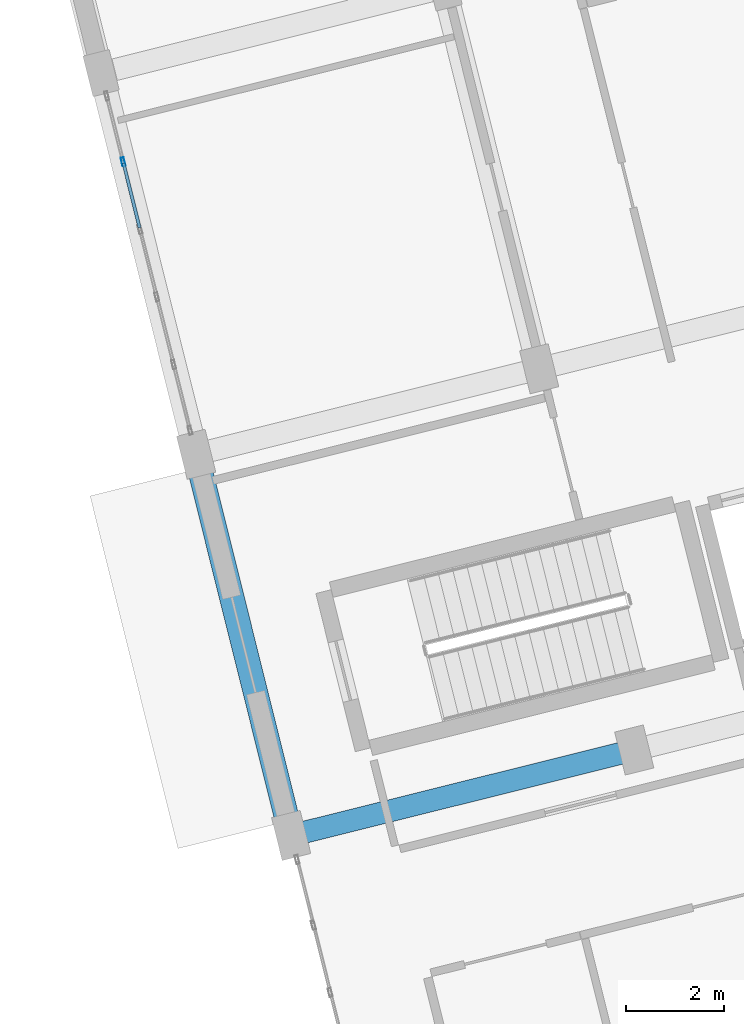
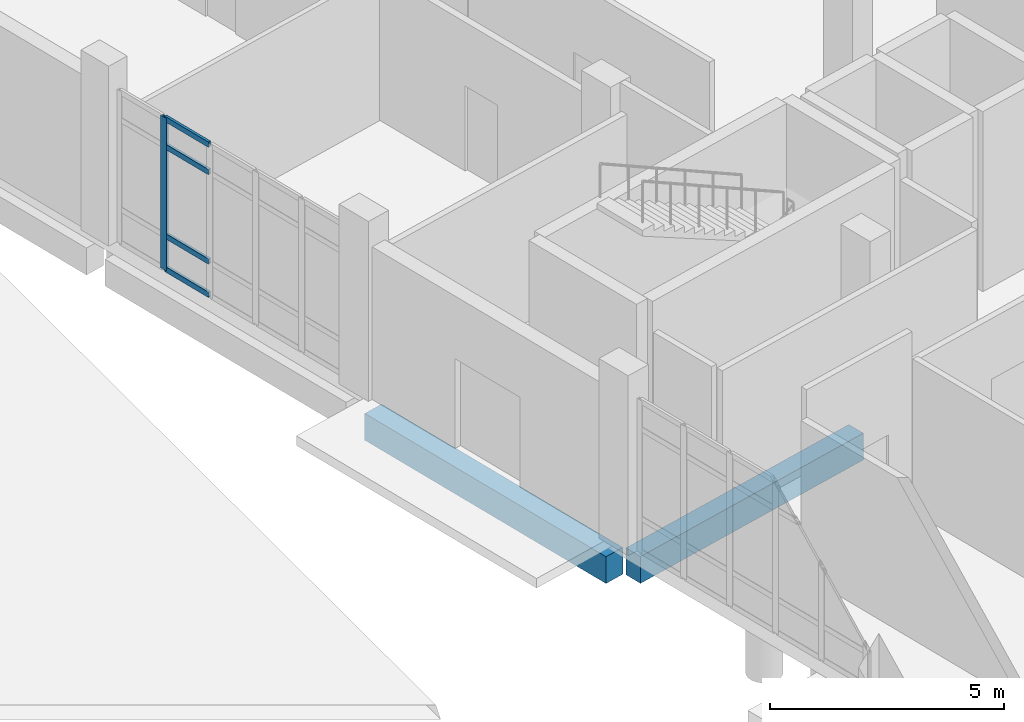
# One storey, part 50 of 173: 5 members, 2 beams, 1 element without a shape of its own.
"""IFC4 building model written with IfcOpenShell, lengths in metres."""

from ifc_helpers import new_model, si_unit, direction, frame, origin, origin_2d, place, context, subcontext, project, spatial, rectangle, hollow_rectangle, extrude, material, layer, layer_set, material_profile, profile_set, type_object, element, aggregate, save


model = new_model("IFC4")

# Units and contexts
model_context = context("Model", 3, precision=1e-05, world=origin(), true_north=direction((0.0, 1.0)))
body_context = subcontext(model_context, "Body", "Model", "MODEL_VIEW")
ifc_project = project(units=[si_unit("LENGTHUNIT", "METRE"), si_unit("AREAUNIT", "SQUARE_METRE"), si_unit("VOLUMEUNIT", "CUBIC_METRE"), si_unit("PLANEANGLEUNIT", "RADIAN"), si_unit("MASSUNIT", "GRAM", prefix="KILO")], contexts=[model_context])

# Site, building, storey
site_placement = place(None, origin())
site = spatial("IfcSite", under=ifc_project, at=site_placement, CompositionType="ELEMENT")
building_placement = place(site_placement, origin())
building = spatial("IfcBuilding", under=site, at=building_placement, Name="Mawjan Specialist Oncology Clinic", CompositionType="ELEMENT")
storey_placement = place(building_placement, origin())
storey = spatial("IfcBuildingStorey", under=building, at=storey_placement, Name="L00", CompositionType="ELEMENT", Elevation=0.0)

# Beam
ifc_material_1 = material(Name="Concrete C40/50", Category="concrete")
ifc_material_profile_1 = material_profile(ifc_material_1, rectangle(XDim=0.449951171875, YDim=0.699951171875, at=origin_2d()), Name="RC BM 450x700", Category="concrete")
ifc_profile_set_1 = profile_set([ifc_material_profile_1], Name="Concrete C40/50")
beam_type_1 = type_object("IfcBeamType", Name="BM-450x700", PredefinedType="BEAM", material=ifc_profile_set_1)
beam_1_placement = place(storey_placement, frame((122.40576171875, 16.393798828125, -0.77001953125), z_axis=(0.970302579357, 0.241894407734, 0.0), x_axis=(-0.241894407734, 0.970302579357, 0.0)))
element("IfcBeam", 1, at=beam_1_placement, inside=storey, type_object=beam_type_1, Name="L00 Collector Beam BM-L00-0207", PredefinedType="BEAM", context=body_context, shape_type="SweptSolid", body=[
    extrude(rectangle(XDim=0.449951171875, YDim=0.699951171875, at=origin_2d()), origin(), (0.0, 0.0, 1.0), 6.6298828125),
])

# Curtain wall, members
ifc_material_2 = material(Name="Unitised spectrally selective aluminium curtain wall", Category="aluminium")
ifc_layer = layer(ifc_material_2, 0.179931640625, Name="Unitised spectrally selective aluminium curtain wall", Category="aluminium")
ifc_layer_set = layer_set([ifc_layer], Name="Unitised spectrally selective aluminium curtain wall")
curtain_wall_type = type_object("IfcCurtainWallType", Name="CW-39", PredefinedType="NOTDEFINED", material=ifc_layer_set)
curtain_wall_placement = place(storey_placement, origin())
curtain_wall = element("IfcCurtainWall", 2, at=curtain_wall_placement, inside=storey, type_object=curtain_wall_type, Name="L00 Unitised Curtain Wall CW-L00-080", PredefinedType="NOTDEFINED")
ifc_material_3 = material(Name="Thermally broken aluminium 6063-T6", Category="aluminium")
ifc_material_profile_2 = material_profile(ifc_material_3, hollow_rectangle(XDim=0.06494140625, YDim=0.179931640625, WallThickness=0.00390625, at=origin_2d()), Name="ALU MULLION 180x65x4", Category="aluminium")
ifc_profile_set_2 = profile_set([ifc_material_profile_2], Name="Thermally broken aluminium 6063-T6")
member_type_1 = type_object("IfcMemberType", Name="CW-M180", PredefinedType="MULLION", material=ifc_profile_set_2)
member_1_placement = place(storey_placement, frame((118.708984375, 30.042724609375, 0.0), z_axis=(0.0, 0.0, 1.0), x_axis=(-0.970295687333, -0.24192205179, 0.0)))
member_1 = element("IfcMember", 3, at=member_1_placement, type_object=member_type_1, Name="CW-39 mullion 5", PredefinedType="MULLION", context=body_context, shape_type="SweptSolid", body=[
    extrude(hollow_rectangle(XDim=0.06494140625, YDim=0.179931640625, WallThickness=0.00390625, at=origin_2d()), origin(), (0.0, 0.0, 1.0), 3.985107421875),
])
ifc_material_4 = material(Name="Thermally broken aluminium 6063-T6", Category="aluminium")
ifc_material_profile_3 = material_profile(ifc_material_4, hollow_rectangle(XDim=0.06494140625, YDim=0.139892578125, WallThickness=0.00390625, at=origin_2d()), Name="ALU TRANSOM 140x65x4", Category="aluminium")
ifc_profile_set_3 = profile_set([ifc_material_profile_3], Name="Thermally broken aluminium 6063-T6")
member_type_2 = type_object("IfcMemberType", Name="CW-T140", PredefinedType="USERDEFINED", material=ifc_profile_set_3)
member_2_placement = place(storey_placement, frame((119.0439453125, 28.699462890625, 0.032470703125), z_axis=(-0.241983209651, 0.970280436908, 0.0), x_axis=(-0.970280436908, -0.241983209651, 0.0)))
member_2 = element("IfcMember", 4, at=member_2_placement, type_object=member_type_2, Name="CW-39 transom 4.1", ObjectType="TRANSOM", PredefinedType="USERDEFINED", context=body_context, shape_type="SweptSolid", body=[
    extrude(hollow_rectangle(XDim=0.06494140625, YDim=0.139892578125, WallThickness=0.00390625, at=origin_2d()), origin(), (0.0, 0.0, 1.0), 1.35205078125),
])
member_3_placement = place(storey_placement, frame((119.0439453125, 28.699462890625, 0.89990234375), z_axis=(-0.241983209651, 0.970280436908, 0.0), x_axis=(-0.970280436908, -0.241983209651, 0.0)))
member_3 = element("IfcMember", 5, at=member_3_placement, type_object=member_type_2, Name="CW-39 transom 4.2", ObjectType="TRANSOM", PredefinedType="USERDEFINED", context=body_context, shape_type="SweptSolid", body=[
    extrude(hollow_rectangle(XDim=0.06494140625, YDim=0.139892578125, WallThickness=0.00390625, at=origin_2d()), origin(), (0.0, 0.0, 1.0), 1.35205078125),
])
member_4_placement = place(storey_placement, frame((119.0439453125, 28.699462890625, 3.235107421875), z_axis=(-0.241983209651, 0.970280436908, 0.0), x_axis=(-0.970280436908, -0.241983209651, 0.0)))
member_4 = element("IfcMember", 6, at=member_4_placement, type_object=member_type_2, Name="CW-39 transom 4.3", ObjectType="TRANSOM", PredefinedType="USERDEFINED", context=body_context, shape_type="SweptSolid", body=[
    extrude(hollow_rectangle(XDim=0.06494140625, YDim=0.139892578125, WallThickness=0.00390625, at=origin_2d()), origin(), (0.0, 0.0, 1.0), 1.35205078125),
])
member_5_placement = place(storey_placement, frame((119.0439453125, 28.699462890625, 3.952392578125), z_axis=(-0.241983209651, 0.970280436908, 0.0), x_axis=(-0.970280436908, -0.241983209651, 0.0)))
member_5 = element("IfcMember", 7, at=member_5_placement, type_object=member_type_2, Name="CW-39 transom 4.4", ObjectType="TRANSOM", PredefinedType="USERDEFINED", context=body_context, shape_type="SweptSolid", body=[
    extrude(hollow_rectangle(XDim=0.06494140625, YDim=0.139892578125, WallThickness=0.00390625, at=origin_2d()), origin(), (0.0, 0.0, 1.0), 1.35205078125),
])
aggregate(curtain_wall, [member_1, member_2, member_3, member_4, member_5])

# Beam
ifc_material_5 = material(Name="Concrete C45/55", Category="concrete")
ifc_material_profile_4 = material_profile(ifc_material_5, rectangle(XDim=0.5, YDim=0.699951171875, at=origin_2d()), Name="RC BM 500x700", Category="concrete")
ifc_profile_set_4 = profile_set([ifc_material_profile_4], Name="Concrete C45/55")
beam_type_2 = type_object("IfcBeamType", Name="SP-500x700", PredefinedType="SPANDREL", material=ifc_profile_set_4)
beam_2_placement = place(storey_placement, frame((122.060302734375, 16.601318359375, -0.77001953125), z_axis=(-0.241909317102, 0.970298862361, 0.0), x_axis=(-0.970298862361, -0.241909317102, 0.0)))
element("IfcBeam", 8, at=beam_2_placement, inside=storey, type_object=beam_type_2, Name="L00 Spandrel Beam BM-L00-0216", PredefinedType="SPANDREL", context=body_context, shape_type="SweptSolid", body=[
    extrude(rectangle(XDim=0.5, YDim=0.699951171875, at=origin_2d()), origin(), (0.0, 0.0, 1.0), 7.429931640625),
])

save(model, "model.ifc")
